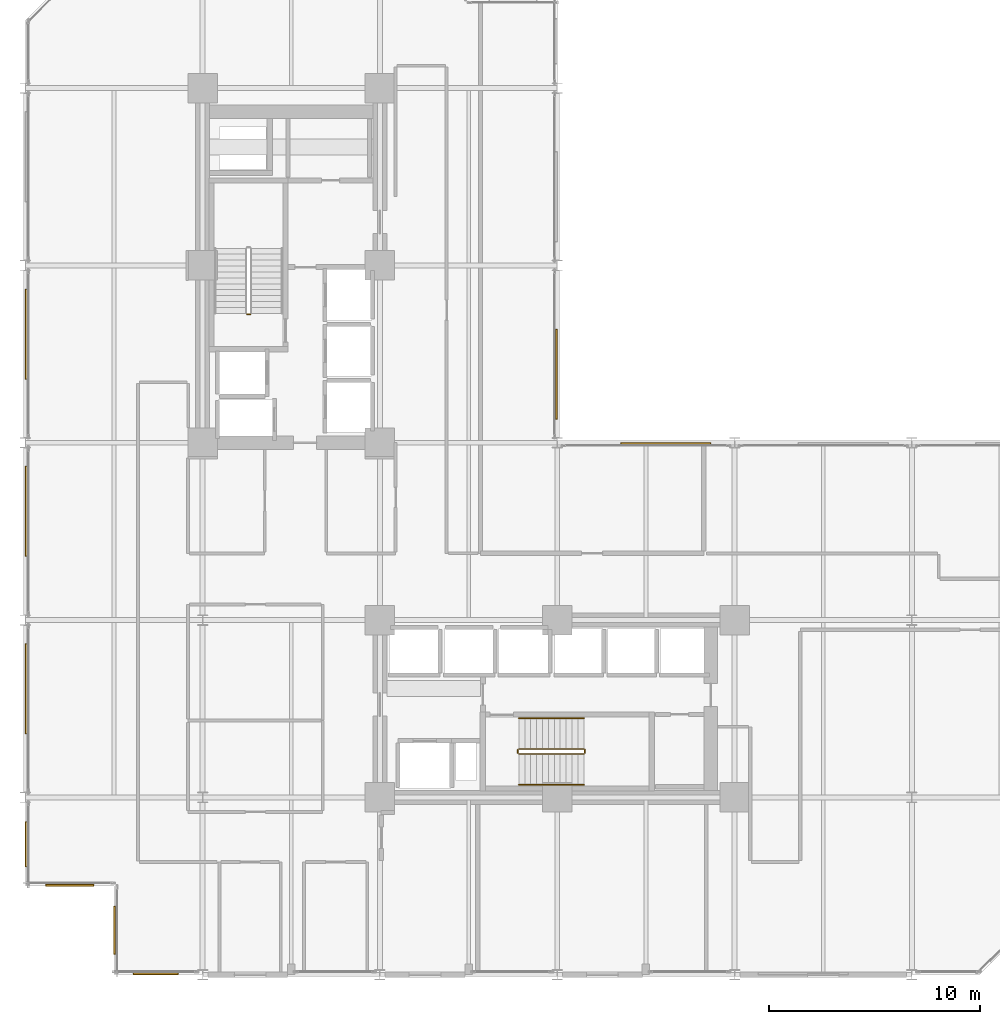
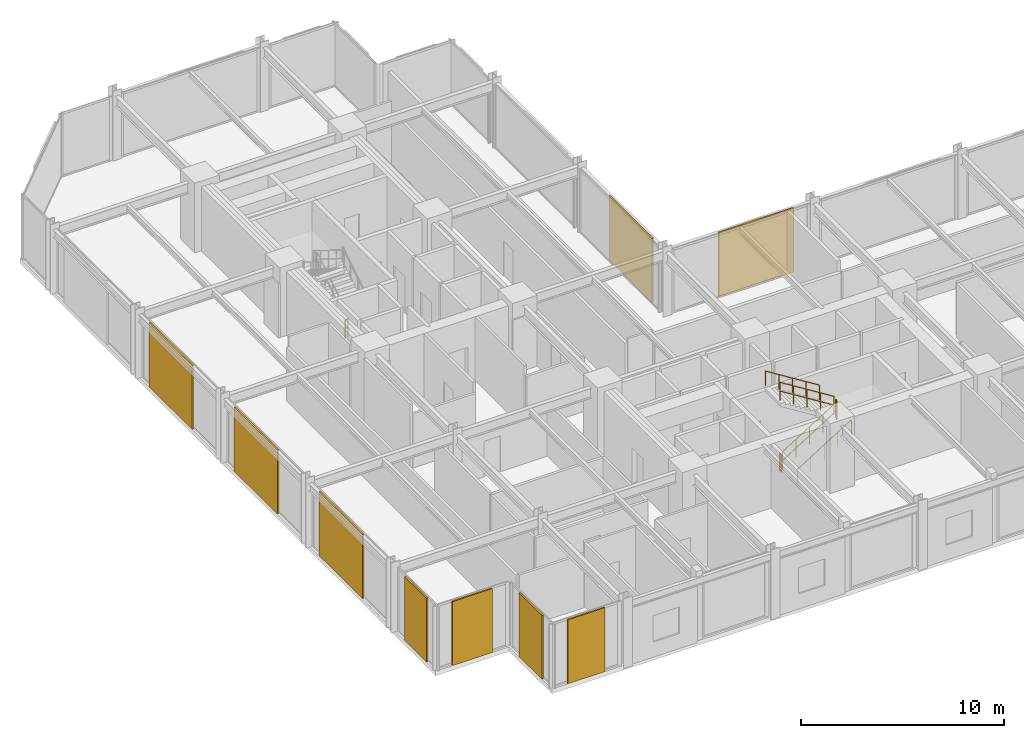
# One storey, part 24 of 26: 9 coverings, 7 railings.
"""IFC4 building model written with IfcOpenShell, lengths in metres."""

from ifc_helpers import new_model, si_unit, direction, frame, origin, origin_2d, place, context, subcontext, project, spatial, rectangle, circle, extrude, material, layer, layer_set, type_object, element, save


model = new_model("IFC4")

# Units and contexts
model_context = context("Model", 3, precision=1e-05, world=origin(), true_north=direction((0.0, 1.0)))
body_context = subcontext(model_context, "Body", "Model", "MODEL_VIEW")
ifc_project = project(units=[si_unit("LENGTHUNIT", "METRE"), si_unit("AREAUNIT", "SQUARE_METRE"), si_unit("VOLUMEUNIT", "CUBIC_METRE"), si_unit("PLANEANGLEUNIT", "RADIAN"), si_unit("MASSUNIT", "GRAM", prefix="KILO")], contexts=[model_context])

# Site, building, storey
site_placement = place(None, origin())
site = spatial("IfcSite", under=ifc_project, at=site_placement, CompositionType="ELEMENT")
building_placement = place(site_placement, origin())
building = spatial("IfcBuilding", under=site, at=building_placement, Name="Nerrivon Quay Data Exchange", CompositionType="ELEMENT")
storey_placement = place(building_placement, frame((0.0, 0.0, 75.199951171875)))
storey = spatial("IfcBuildingStorey", under=building, at=storey_placement, Name="L17", CompositionType="ELEMENT", Elevation=75.199951171875)

# Coverings
ifc_material_1 = material(Name="Architectural terracotta ceramic", Category="masonry")
ifc_layer = layer(ifc_material_1, 0.090087890625)
ifc_layer_set = layer_set([ifc_layer], Name="Architectural terracotta ceramic")
covering_type = type_object("IfcCoveringType", Name="COV-SCR-TERR", PredefinedType="CLADDING", material=ifc_layer_set)
covering_1_placement = place(storey_placement, frame((6.175048828125, 0.044921875, 0.0), z_axis=(0.0, 0.0, 1.0), x_axis=(-1.0, 0.0, 0.0)))
element("IfcCovering", 1, at=covering_1_placement, inside=storey, type_object=covering_type, Name="L17 Perforated Terracotta SOLAR SCREEN Cassette", PredefinedType="CLADDING", context=body_context, shape_type="SweptSolid", body=[
    extrude(rectangle(XDim=2.133056640625, YDim=0.090087890625, at=origin_2d()), origin(), (0.0, 0.0, 1.0), 3.85009765625),
])
for number, where, z_axis, x_axis, name in (
    (2, (4.2451171875, 2.10009765625, 0.0), (0.0, 0.0, 1.0), (0.0, 1.0, 0.0), "L17 Perforated Terracotta SOLAR SCREEN Cassette"),
    (3, (2.10009765625, 4.2451171875, 0.0), (0.0, 0.0, 1.0), (-1.0, 0.0, 0.0), "L17 Perforated Terracotta SOLAR SCREEN Cassette"),
):
    element("IfcCovering", number, at=place(storey_placement, frame(where, z_axis=z_axis, x_axis=x_axis)), inside=storey, type_object=covering_type, Name=name, PredefinedType="CLADDING", context=body_context, shape_type="SweptSolid", body=[
        extrude(rectangle(XDim=2.26806640625, YDim=0.090087890625, at=origin_2d()), origin(), (0.0, 0.0, 1.0), 3.85009765625),
    ])
covering_2_placement = place(storey_placement, frame((0.044921875, 6.175048828125, 0.0), z_axis=(0.0, 0.0, 1.0), x_axis=(0.0, 1.0, 0.0)))
element("IfcCovering", 4, at=covering_2_placement, inside=storey, type_object=covering_type, Name="L17 Perforated Terracotta SOLAR SCREEN Cassette", PredefinedType="CLADDING", context=body_context, shape_type="SweptSolid", body=[
    extrude(rectangle(XDim=2.133056640625, YDim=0.090087890625, at=origin_2d()), origin(), (0.0, 0.0, 1.0), 3.85009765625),
])
for number, where, z_axis, x_axis, name in (
    (5, (0.044921875, 13.548095703125, 0.0), (0.0, 0.0, 1.0), (0.0, 1.0, 0.0), "L17 Perforated Terracotta SOLAR SCREEN Cassette"),
    (6, (0.044921875, 21.947998046875, 0.0), (0.0, 0.0, 1.0), (0.0, 1.0, 0.0), "L17 Perforated Terracotta SOLAR SCREEN Cassette"),
    (7, (0.044921875, 30.347900390625, 0.0), (0.0, 0.0, 1.0), (0.0, 1.0, 0.0), "L17 Perforated Terracotta SOLAR SCREEN Cassette"),
    (8, (25.155029296875, 28.451904296875, 0.0), (0.0, 0.0, 1.0), (0.0, -1.0, 0.0), "L17 Perforated Terracotta SOLAR SCREEN Cassette"),
    (9, (30.347900390625, 25.155029296875, 0.0), (0.0, 0.0, 1.0), (1.0, 0.0, 0.0), "L17 Perforated Terracotta SOLAR SCREEN Cassette"),
):
    element("IfcCovering", number, at=place(storey_placement, frame(where, z_axis=z_axis, x_axis=x_axis)), inside=storey, type_object=covering_type, Name=name, PredefinedType="CLADDING", context=body_context, shape_type="SweptSolid", body=[
        extrude(rectangle(XDim=4.26611328125, YDim=0.090087890625, at=origin_2d()), origin(), (0.0, 0.0, 1.0), 3.85009765625),
    ])

# Railings
ifc_material_2 = material(Name="Steel Grade C350L0 (350 MPa)", Category="steel")
railing_type_1 = type_object("IfcRailingType", Name="RAIL-HAND-HR1", PredefinedType="HANDRAIL", material=ifc_material_2)
railing_1_placement = place(storey_placement, frame((23.3798828125, 9.0, 0.175048828125)))
element("IfcRailing", 10, at=railing_1_placement, inside=storey, type_object=railing_type_1, Name="L17 ST02 stair handrail 1", PredefinedType="HANDRAIL", context=body_context, shape_type="SweptSolid", body=[
    extrude(circle(Radius=0.02392578125, at=origin_2d()), frame((0.0, 0.0, 0.8759765625), z_axis=(0.847998304005, 0.0, 0.529998940003), x_axis=(0.0, 1.0, 0.0)), (0.0, 0.0, 1.0), 3.632080078125),
    extrude(circle(Radius=0.02099609375, at=origin_2d()), origin(), (0.0, 0.0, 1.0), 0.851806640625),
    extrude(circle(Radius=0.02099609375, at=origin_2d()), frame((0.77001953125, 0.0, 0.481201171875)), (0.0, 0.0, 1.0), 0.851806640625),
    extrude(circle(Radius=0.02099609375, at=origin_2d()), frame((1.5400390625, 0.0, 0.96240234375)), (0.0, 0.0, 1.0), 0.851806640625),
    extrude(circle(Radius=0.02099609375, at=origin_2d()), frame((2.31005859375, 0.0, 1.44384765625)), (0.0, 0.0, 1.0), 0.851806640625),
    extrude(circle(Radius=0.02099609375, at=origin_2d()), frame((3.080078125, 0.0, 1.925048828125)), (0.0, 0.0, 1.0), 0.851806640625),
])
railing_2_placement = place(storey_placement, frame((26.4599609375, 12.14990234375, 2.275146484375)))
element("IfcRailing", 11, at=railing_2_placement, inside=storey, type_object=railing_type_1, Name="L17 ST02 stair handrail 2", PredefinedType="HANDRAIL", context=body_context, shape_type="SweptSolid", body=[
    extrude(circle(Radius=0.02392578125, at=origin_2d()), frame((0.0, 0.0, 0.8759765625), z_axis=(-0.848028513186, 0.0, 0.529950602248), x_axis=(0.0, -1.0, 0.0)), (0.0, 0.0, 1.0), 3.632080078125),
    extrude(circle(Radius=0.02099609375, at=origin_2d()), origin(), (0.0, 0.0, 1.0), 0.851806640625),
    extrude(circle(Radius=0.02099609375, at=origin_2d()), frame((-0.77001953125, 0.0, 0.481201171875)), (0.0, 0.0, 1.0), 0.851806640625),
    extrude(circle(Radius=0.02099609375, at=origin_2d()), frame((-1.5400390625, 0.0, 0.96240234375)), (0.0, 0.0, 1.0), 0.851806640625),
    extrude(circle(Radius=0.02099609375, at=origin_2d()), frame((-2.31005859375, 0.0, 1.443603515625)), (0.0, 0.0, 1.0), 0.851806640625),
    extrude(circle(Radius=0.02099609375, at=origin_2d()), frame((-3.080078125, 0.0, 1.9248046875)), (0.0, 0.0, 1.0), 0.851806640625),
])
railing_type_2 = type_object("IfcRailingType", Name="RAIL-STAIR-GR1", PredefinedType="BALUSTRADE", material=ifc_material_2)
railing_3_placement = place(storey_placement, frame((10.64990234375, 31.280029296875, 0.0)))
element("IfcRailing", 12, at=railing_3_placement, inside=storey, type_object=railing_type_2, Name="L17 ST01 stair guard 4", PredefinedType="BALUSTRADE", context=body_context, shape_type="SweptSolid", body=[
    extrude(circle(Radius=0.02392578125, at=origin_2d()), frame((0.0, 0.0, 1.076171875), z_axis=(-1.0, 0.0, 0.0), x_axis=(0.0, -1.0, 0.0)), (0.0, 0.0, 1.0), 0.14990234375),
    extrude(circle(Radius=0.02392578125, at=origin_2d()), frame((0.0, 0.0, 0.550048828125), z_axis=(-1.0, 0.0, 0.0), x_axis=(0.0, -1.0, 0.0)), (0.0, 0.0, 1.0), 0.14990234375),
    extrude(circle(Radius=0.02099609375, at=origin_2d()), origin(), (0.0, 0.0, 1.0), 1.052001953125),
    extrude(circle(Radius=0.02099609375, at=origin_2d()), frame((-0.14990234375, 0.0, 0.0)), (0.0, 0.0, 1.0), 1.052001953125),
])
railing_4_placement = place(storey_placement, frame((23.3798828125, 10.449951171875, 0.175048828125)))
element("IfcRailing", 13, at=railing_4_placement, inside=storey, type_object=railing_type_2, Name="L17 ST02 stair guard 1", PredefinedType="BALUSTRADE", context=body_context, shape_type="SweptSolid", body=[
    extrude(circle(Radius=0.02392578125, at=origin_2d()), frame((0.0, 0.0, 1.076171875), z_axis=(0.847998304005, 0.0, 0.529998940003), x_axis=(0.0, 1.0, 0.0)), (0.0, 0.0, 1.0), 3.632080078125),
    extrude(circle(Radius=0.02392578125, at=origin_2d()), frame((0.0, 0.0, 0.550048828125), z_axis=(0.847998304005, 0.0, 0.529998940003), x_axis=(0.0, 1.0, 0.0)), (0.0, 0.0, 1.0), 3.632080078125),
    extrude(circle(Radius=0.02099609375, at=origin_2d()), origin(), (0.0, 0.0, 1.0), 1.052001953125),
    extrude(circle(Radius=0.02099609375, at=origin_2d()), frame((0.77001953125, 0.0, 0.481201171875)), (0.0, 0.0, 1.0), 1.052001953125),
    extrude(circle(Radius=0.02099609375, at=origin_2d()), frame((1.5400390625, 0.0, 0.96240234375)), (0.0, 0.0, 1.0), 1.052001953125),
    extrude(circle(Radius=0.02099609375, at=origin_2d()), frame((2.31005859375, 0.0, 1.44384765625)), (0.0, 0.0, 1.0), 1.052001953125),
    extrude(circle(Radius=0.02099609375, at=origin_2d()), frame((3.080078125, 0.0, 1.925048828125)), (0.0, 0.0, 1.0), 1.052001953125),
])
railing_5_placement = place(storey_placement, frame((26.510009765625, 10.5, 2.10009765625)))
element("IfcRailing", 14, at=railing_5_placement, inside=storey, type_object=railing_type_2, Name="L17 ST02 stair guard 2", PredefinedType="BALUSTRADE", context=body_context, shape_type="SweptSolid", body=[
    extrude(circle(Radius=0.02392578125, at=origin_2d()), frame((0.0, 0.0, 1.076171875), z_axis=(0.0, 1.0, 0.0), x_axis=(-1.0, 0.0, 0.0)), (0.0, 0.0, 1.0), 0.14990234375),
    extrude(circle(Radius=0.02392578125, at=origin_2d()), frame((0.0, 0.0, 0.550048828125), z_axis=(0.0, 1.0, 0.0), x_axis=(-1.0, 0.0, 0.0)), (0.0, 0.0, 1.0), 0.14990234375),
    extrude(circle(Radius=0.02099609375, at=origin_2d()), origin(), (0.0, 0.0, 1.0), 1.052001953125),
    extrude(circle(Radius=0.02099609375, at=origin_2d()), frame((0.0, 0.14990234375, 0.0)), (0.0, 0.0, 1.0), 1.052001953125),
])
railing_6_placement = place(storey_placement, frame((26.4599609375, 10.699951171875, 2.275146484375)))
element("IfcRailing", 15, at=railing_6_placement, inside=storey, type_object=railing_type_2, Name="L17 ST02 stair guard 3", PredefinedType="BALUSTRADE", context=body_context, shape_type="SweptSolid", body=[
    extrude(circle(Radius=0.02392578125, at=origin_2d()), frame((0.0, 0.0, 1.076171875), z_axis=(-0.848028513186, 0.0, 0.529950602248), x_axis=(0.0, -1.0, 0.0)), (0.0, 0.0, 1.0), 3.632080078125),
    extrude(circle(Radius=0.02392578125, at=origin_2d()), frame((0.0, 0.0, 0.550048828125), z_axis=(-0.848028513186, 0.0, 0.529950602248), x_axis=(0.0, -1.0, 0.0)), (0.0, 0.0, 1.0), 3.632080078125),
    extrude(circle(Radius=0.02099609375, at=origin_2d()), origin(), (0.0, 0.0, 1.0), 1.052001953125),
    extrude(circle(Radius=0.02099609375, at=origin_2d()), frame((-0.77001953125, 0.0, 0.481201171875)), (0.0, 0.0, 1.0), 1.052001953125),
    extrude(circle(Radius=0.02099609375, at=origin_2d()), frame((-1.5400390625, 0.0, 0.96240234375)), (0.0, 0.0, 1.0), 1.052001953125),
    extrude(circle(Radius=0.02099609375, at=origin_2d()), frame((-2.31005859375, 0.0, 1.443603515625)), (0.0, 0.0, 1.0), 1.052001953125),
    extrude(circle(Radius=0.02099609375, at=origin_2d()), frame((-3.080078125, 0.0, 1.9248046875)), (0.0, 0.0, 1.0), 1.052001953125),
])
railing_7_placement = place(storey_placement, frame((23.330078125, 10.5, 0.0)))
element("IfcRailing", 16, at=railing_7_placement, inside=storey, type_object=railing_type_2, Name="L17 ST02 stair guard 4", PredefinedType="BALUSTRADE", context=body_context, shape_type="SweptSolid", body=[
    extrude(circle(Radius=0.02392578125, at=origin_2d()), frame((0.0, 0.0, 1.076171875), z_axis=(0.0, 1.0, 0.0), x_axis=(-1.0, 0.0, 0.0)), (0.0, 0.0, 1.0), 0.14990234375),
    extrude(circle(Radius=0.02392578125, at=origin_2d()), frame((0.0, 0.0, 0.550048828125), z_axis=(0.0, 1.0, 0.0), x_axis=(-1.0, 0.0, 0.0)), (0.0, 0.0, 1.0), 0.14990234375),
    extrude(circle(Radius=0.02099609375, at=origin_2d()), origin(), (0.0, 0.0, 1.0), 1.052001953125),
    extrude(circle(Radius=0.02099609375, at=origin_2d()), frame((0.0, 0.14990234375, 0.0)), (0.0, 0.0, 1.0), 1.052001953125),
])

save(model, "model.ifc")
